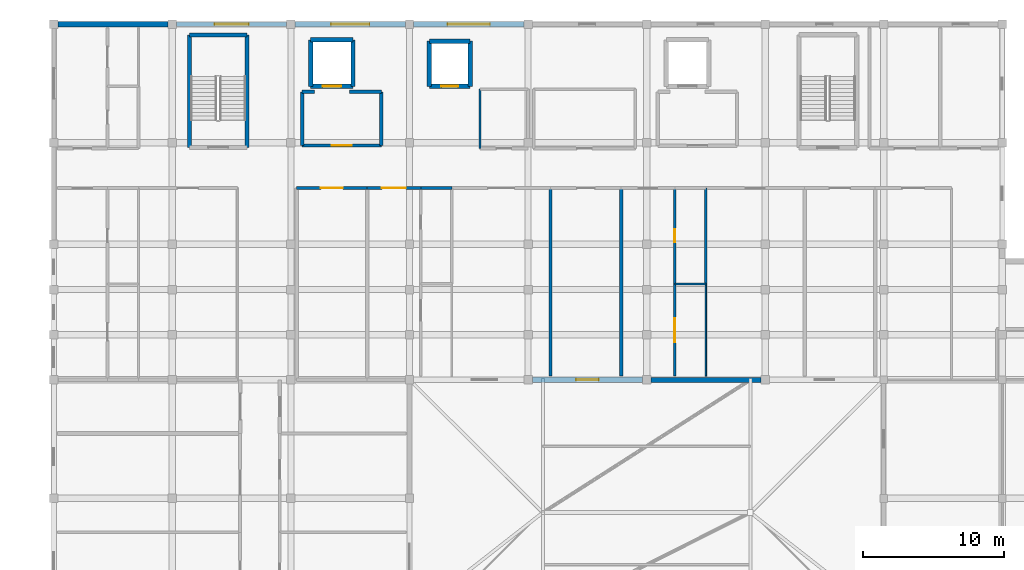
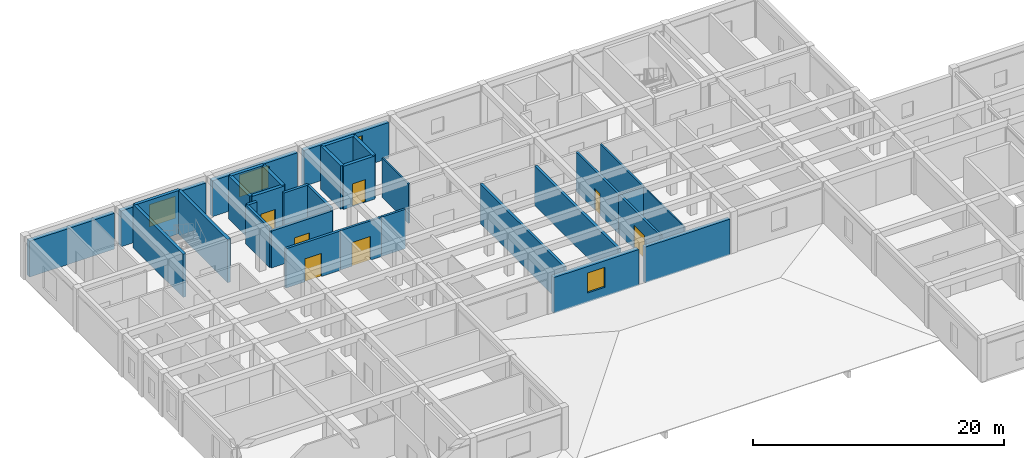
# One storey, part 16 of 42: 33 walls, 7 doors, 4 windows, 11 openings.
"""IFC4 building model written with IfcOpenShell, lengths in metres."""

import ifcopenshell
import ifcopenshell.guid

model = None  # the IFC model being written
_history = None  # IfcOwnerHistory: only IFC2X3 demands one
_inside = {}  # id of a spatial element -> (the spatial element, [elements in it])
_under = {}  # id of a project, library or spatial element -> (it, [spatial elements below it])
_declared = {}  # id of a project -> (the project, [libraries it declares])
_typed = {}  # id of a type object -> (the type object, [elements of that type])
_made_of = {}  # id of a material, layer set ... -> (it, [elements and type objects made of it])


def new_model(schema):
    """Start an empty IFC model of exactly this schema.

    Asked for "IFC4X3", IfcOpenShell would pick the latest addendum, in which some entities
    have other attributes; the version numbers below select the first issue.
    IFC2X3 requires an IfcOwnerHistory on every rooted entity: one is made here for all.
    """
    global model, _history
    if schema == "IFC4X3":
        model = ifcopenshell.file(schema_version=(4, 3, 0, 0))
    else:
        model = ifcopenshell.file(schema=schema)
    _inside.clear()
    _under.clear()
    _declared.clear()
    _typed.clear()
    _made_of.clear()
    _history = None
    if model.schema == "IFC2X3":
        org = make("IfcOrganization", Name="unknown")
        user = make(
            "IfcPersonAndOrganization",
            ThePerson=make("IfcPerson", FamilyName="unknown"),
            TheOrganization=org,
        )
        app = make(
            "IfcApplication",
            ApplicationDeveloper=org,
            Version="unknown",
            ApplicationFullName="unknown",
            ApplicationIdentifier="unknown",
        )
        _history = make(
            "IfcOwnerHistory",
            OwningUser=user,
            OwningApplication=app,
            ChangeAction="ADDED",
            CreationDate=0,
        )
    return model


def make(cls, **values):
    """One entity of the class cls with the attributes given. An attribute that is None is left unset."""
    return model.create_entity(
        cls, **{name: value for name, value in values.items() if value is not None}
    )


def rooted(cls, **values):
    """An entity with a GlobalId (a new one), such as an element, a storey or a relation."""
    return make(cls, GlobalId=ifcopenshell.guid.new(), OwnerHistory=_history, **values)


def si_unit(unit_type, name, prefix=None):
    """IfcSIUnit, for example si_unit("LENGTHUNIT", "METRE", prefix="MILLI")."""
    return make("IfcSIUnit", UnitType=unit_type, Prefix=prefix, Name=name)


def assignment(units):
    """IfcUnitAssignment: the units of a project."""
    return None if units is None else make("IfcUnitAssignment", Units=units)


def point(xyz):
    """IfcCartesianPoint."""
    return None if xyz is None else make("IfcCartesianPoint", Coordinates=xyz)


def direction(xyz):
    """IfcDirection."""
    return None if xyz is None else make("IfcDirection", DirectionRatios=xyz)


def frame(location, z_axis=None, x_axis=None):
    """IfcAxis2Placement3D, a coordinate frame: its origin and axes. An axis left out is left unset."""
    return make(
        "IfcAxis2Placement3D",
        Location=point(location),
        Axis=direction(z_axis),
        RefDirection=direction(x_axis),
    )


def frame_2d(location, x_axis=None):
    """IfcAxis2Placement2D, a coordinate frame in the plane: its origin and x axis."""
    return make(
        "IfcAxis2Placement2D", Location=point(location), RefDirection=direction(x_axis)
    )


def origin():
    """The frame at (0, 0, 0) with its axes left unset."""
    return frame((0.0, 0.0, 0.0))


def place(relative_to, where):
    """IfcLocalPlacement: puts the frame where relative to a parent placement (None: the world)."""
    return make(
        "IfcLocalPlacement", PlacementRelTo=relative_to, RelativePlacement=where
    )


def context(
    kind, dimensions, precision=None, world=None, true_north=None, identifier=None
):
    """IfcGeometricRepresentationContext, for example the 3D "Model" context."""
    return make(
        "IfcGeometricRepresentationContext",
        ContextIdentifier=identifier,
        ContextType=kind,
        CoordinateSpaceDimension=dimensions,
        Precision=precision,
        WorldCoordinateSystem=world,
        TrueNorth=true_north,
    )


def subcontext(parent, identifier, kind, view, scale=None):
    """IfcGeometricRepresentationSubContext, for example "Body" below "Model"."""
    return make(
        "IfcGeometricRepresentationSubContext",
        ContextIdentifier=identifier,
        ContextType=kind,
        ParentContext=parent,
        TargetScale=scale,
        TargetView=view,
    )


def project(units=None, contexts=None):
    """IfcProject with its units and contexts."""
    return rooted(
        "IfcProject",
        Name="project",
        RepresentationContexts=contexts,
        UnitsInContext=assignment(units),
    )


def spatial(cls, under=None, at=None, **own):
    """A site, building, storey or space (cls), placed at a placement, below another one or the project."""
    s = rooted(cls, ObjectPlacement=at, **own)
    if under is not None:
        _under.setdefault(under.id(), (under, []))[1].append(s)
    return s


def profile(cls, at=None, kind="AREA", **sizes):
    """A parametric profile (cls). Its sizes go by their IFC names, for example OverallWidth=200.0."""
    return make(cls, ProfileType=kind, Position=at, **sizes)


def rectangle(**sizes):
    """IfcRectangleProfileDef."""
    return profile("IfcRectangleProfileDef", **sizes)


def extrude(swept, where, along, depth):
    """IfcExtrudedAreaSolid: the profile swept, set in the frame where, extruded along a direction by depth."""
    return make(
        "IfcExtrudedAreaSolid",
        SweptArea=swept,
        Position=where,
        ExtrudedDirection=direction(along),
        Depth=depth,
    )


def shape(context_of_items, identifier, shape_type, items):
    """IfcShapeRepresentation: the items that make up one representation, for example the "Body"."""
    return make(
        "IfcShapeRepresentation",
        ContextOfItems=context_of_items,
        RepresentationIdentifier=identifier,
        RepresentationType=shape_type,
        Items=items,
    )


def material(Name=None, Category=None):
    """IfcMaterial."""
    return make("IfcMaterial", Name=Name, Category=Category)


def layer(
    of_material, thickness, ventilated=None, Name=None, Category=None, Priority=None
):
    """IfcMaterialLayer: one layer of a wall or slab, of a material (None: an air gap)."""
    return make(
        "IfcMaterialLayer",
        Material=of_material,
        LayerThickness=thickness,
        IsVentilated=ventilated,
        Name=Name,
        Category=Category,
        Priority=Priority,
    )


def layer_set(layers, Name=None):
    """IfcMaterialLayerSet."""
    return make("IfcMaterialLayerSet", MaterialLayers=layers, LayerSetName=Name)


def made_of(thing, what):
    """Note that an element or type object is made of a material, layer set ...; save() writes the relation."""
    if what is not None:
        _made_of.setdefault(what.id(), (what, []))[1].append(thing)
    return thing


def type_object(cls, material=None, **own):
    """A type object (cls), such as IfcWallType, which elements share."""
    return made_of(rooted(cls, **own), material)


def element(
    cls,
    number,
    at=None,
    inside=None,
    cuts=None,
    type_object=None,
    material=None,
    context=None,
    identifier="Body",
    shape_type=None,
    held_by="IfcProductDefinitionShape",
    body=None,
    shapes=None,
    **own,
):
    """One element of the class cls, such as IfcWall. Its Tag is "e" and its number.

    at: its placement. inside: the storey or other place that contains it. cuts: it is an
    opening in that element (IfcRelVoidsElement). A single representation is given by context,
    identifier, shape_type and body (its items); several are given by shapes. held_by: the class
    of the entity that holds the representations. save() writes the other relations.
    """
    e = rooted(cls, Tag="e%d" % number, ObjectPlacement=at, **own)
    if body is not None:
        shapes = [shape(context, identifier, shape_type, body)]
    if shapes is not None:
        e.Representation = make(held_by, Representations=shapes)
    if inside is not None:
        _inside.setdefault(inside.id(), (inside, []))[1].append(e)
    if cuts is not None:
        rooted(
            "IfcRelVoidsElement", RelatingBuildingElement=cuts, RelatedOpeningElement=e
        )
    if type_object is not None:
        _typed.setdefault(type_object.id(), (type_object, []))[1].append(e)
    return made_of(e, material)


def fill(opening, filler):
    """IfcRelFillsElement: the door or window that sits in an opening."""
    return rooted(
        "IfcRelFillsElement",
        RelatingOpeningElement=opening,
        RelatedBuildingElement=filler,
    )


def aggregate(whole, parts):
    """IfcRelAggregates: a whole, such as a stair, and the parts it consists of."""
    return rooted("IfcRelAggregates", RelatingObject=whole, RelatedObjects=parts)


def save(model, path):
    """Write the relations noted so far, then the file.

    IfcRelAggregates (storeys below a building ...), IfcRelContainedInSpatialStructure (elements
    in a storey), IfcRelDefinesByType, IfcRelAssociatesMaterial and IfcRelDeclares: one each for
    every whole, place, type object, material and project.
    """
    for whole, parts in _under.values():
        aggregate(whole, parts)
    for where, things in _inside.values():
        rooted(
            "IfcRelContainedInSpatialStructure",
            RelatedElements=things,
            RelatingStructure=where,
        )
    for kind, things in _typed.values():
        rooted("IfcRelDefinesByType", RelatedObjects=things, RelatingType=kind)
    for what, things in _made_of.values():
        rooted("IfcRelAssociatesMaterial", RelatedObjects=things, RelatingMaterial=what)
    for by, libraries in _declared.values():
        rooted("IfcRelDeclares", RelatingContext=by, RelatedDefinitions=libraries)
    model.write(path)


model = new_model("IFC4")

# Units and contexts
model_context = context("Model", 3, precision=1e-05, world=origin(), true_north=direction((0.0, 1.0)))
body_context = subcontext(model_context, "Body", "Model", "MODEL_VIEW")
ifc_project = project(units=[si_unit("LENGTHUNIT", "METRE"), si_unit("AREAUNIT", "SQUARE_METRE"), si_unit("VOLUMEUNIT", "CUBIC_METRE"), si_unit("PLANEANGLEUNIT", "RADIAN"), si_unit("MASSUNIT", "GRAM", prefix="KILO")], contexts=[model_context])

# Site, building, storey
site_placement = place(None, origin())
site = spatial("IfcSite", under=ifc_project, at=site_placement, CompositionType="ELEMENT")
building_placement = place(site_placement, origin())
building = spatial("IfcBuilding", under=site, at=building_placement, Name="Varncliffe General Hospital", CompositionType="ELEMENT")
storey_placement = place(building_placement, frame((0.0, 0.0, 20.39990234375)))
storey = spatial("IfcBuildingStorey", under=building, at=storey_placement, Name="L04", CompositionType="ELEMENT", Elevation=20.39990234375)

# Wall
ifc_material_1 = material(Name="Precast concrete C40/50 with insulated cream lime-cement stucco", Category="concrete")
ifc_layer_1 = layer(ifc_material_1, 0.3798828125)
ifc_layer_set_1 = layer_set([ifc_layer_1], Name="Precast concrete C40/50 with insulated cream lime-cement stucco")
wall_type_1 = type_object("IfcWallType", Name="Exterior Insulated Stucco Wall EW26 (380mm)", PredefinedType="SOLIDWALL", material=ifc_layer_set_1)
wall_1_placement = place(storey_placement, frame((0.298095703125, 124.800048828125, 0.0), z_axis=(0.0, 0.0, 1.0), x_axis=(1.0, 0.0, 0.0)))
element("IfcWall", 1, at=wall_1_placement, inside=storey, type_object=wall_type_1, Name="L04 Exterior Stucco Wall EW26-347", PredefinedType="SOLIDWALL", context=body_context, shape_type="SweptSolid", body=[
    extrude(rectangle(XDim=7.803955078125, YDim=0.3798828125, at=frame_2d((3.90185546875, 0.0))), origin(), (0.0, 0.0, 1.0), 3.47998046875),
])

# Wall, opening, window
wall_2_placement = place(storey_placement, frame((25.498046875, 124.800048828125, 0.0), z_axis=(0.0, 0.0, 1.0), x_axis=(1.0, 0.0, 0.0)))
wall_2 = element("IfcWall", 2, at=wall_2_placement, inside=storey, type_object=wall_type_1, Name="L04 Exterior Stucco Wall EW26-350", PredefinedType="SOLIDWALL", context=body_context, shape_type="SweptSolid", body=[
    extrude(rectangle(XDim=7.803955078125, YDim=0.3798828125, at=frame_2d((3.90185546875, 0.0))), origin(), (0.0, 0.0, 1.0), 3.47998046875),
])
opening_1_placement = place(wall_2_placement, frame((2.402099609375, 0.0, 0.89990234375)))
opening_1 = element("IfcOpeningElement", 3, at=opening_1_placement, cuts=wall_2, Name="Opening WN37", PredefinedType="OPENING", context=body_context, shape_type="SweptSolid", body=[
    extrude(rectangle(XDim=3.0, YDim=2.14990234375, at=frame_2d((1.5, 1.074951171875))), frame((0.0, 0.199951171875, 0.0), z_axis=(0.0, -1.0, 0.0), x_axis=(1.0, 0.0, 0.0)), (0.0, 0.0, 1.0), 0.39990234375),
])
ifc_material_2 = material(Name="Triple low-E argon insulated vision glazing", Category="glass")
window_type_1 = type_object("IfcWindowType", Name="Triple-Glazed Hospital Window WN37 (3000x2150)", PartitioningType="DOUBLE_PANEL_VERTICAL", PredefinedType="WINDOW", material=ifc_material_2)
window_1_placement = place(opening_1_placement, origin())
window_1 = element("IfcWindow", 4, at=window_1_placement, inside=storey, type_object=window_type_1, Name="L04 Hospital Window WN37-260", OverallHeight=2.14990234375, OverallWidth=3.0, PartitioningType="DOUBLE_PANEL_VERTICAL", PredefinedType="WINDOW", context=body_context, shape_type="SweptSolid", body=[
    extrude(rectangle(XDim=3.0, YDim=2.14990234375, at=frame_2d((1.5, 1.074951171875))), frame((0.0, 0.030029296875, 0.0), z_axis=(0.0, -1.0, 0.0), x_axis=(1.0, 0.0, 0.0)), (0.0, 0.0, 1.0), 0.06005859375),
])
fill(opening_1, window_1)

# Wall
ifc_layer_2 = layer(ifc_material_1, 0.35009765625)
ifc_layer_set_2 = layer_set([ifc_layer_2], Name="Precast concrete C40/50 with insulated cream lime-cement stucco")
wall_type_2 = type_object("IfcWallType", Name="Exterior Insulated Stucco Wall EW37 (350mm)", PredefinedType="SOLIDWALL", material=ifc_layer_set_2)
wall_3_placement = place(storey_placement, frame((50.10205078125, 99.60009765625, 0.0), z_axis=(0.0, 0.0, 1.0), x_axis=(-1.0, 0.0, 0.0)))
element("IfcWall", 5, at=wall_3_placement, inside=storey, type_object=wall_type_2, Name="L04 Exterior Stucco Wall EW37-332", PredefinedType="SOLIDWALL", context=body_context, shape_type="SweptSolid", body=[
    extrude(rectangle(XDim=7.803955078125, YDim=0.35009765625, at=frame_2d((3.90185546875, 0.0))), origin(), (0.0, 0.0, 1.0), 3.47998046875),
])

# Wall, opening, window
wall_4_placement = place(storey_placement, frame((8.697998046875, 124.800048828125, 0.0), z_axis=(0.0, 0.0, 1.0), x_axis=(1.0, 0.0, 0.0)))
wall_4 = element("IfcWall", 6, at=wall_4_placement, inside=storey, type_object=wall_type_2, Name="L04 Exterior Stucco Wall EW37-348", PredefinedType="SOLIDWALL", context=body_context, shape_type="SweptSolid", body=[
    extrude(rectangle(XDim=7.803955078125, YDim=0.35009765625, at=frame_2d((3.90185546875, 0.0))), origin(), (0.0, 0.0, 1.0), 3.47998046875),
])
opening_2_placement = place(wall_4_placement, frame((2.701904296875, 0.0, 0.89990234375)))
opening_2 = element("IfcOpeningElement", 7, at=opening_2_placement, cuts=wall_4, Name="Opening WN61", PredefinedType="OPENING", context=body_context, shape_type="SweptSolid", body=[
    extrude(rectangle(XDim=2.39990234375, YDim=2.14990234375, at=frame_2d((1.199951171875, 1.074951171875))), frame((0.0, 0.18505859375, 0.0), z_axis=(0.0, -1.0, 0.0), x_axis=(1.0, 0.0, 0.0)), (0.0, 0.0, 1.0), 0.3701171875),
])
window_type_2 = type_object("IfcWindowType", Name="Triple-Glazed Hospital Window WN61 (2400x2150)", PartitioningType="DOUBLE_PANEL_VERTICAL", PredefinedType="WINDOW", material=ifc_material_2)
window_2_placement = place(opening_2_placement, origin())
window_2 = element("IfcWindow", 8, at=window_2_placement, inside=storey, type_object=window_type_2, Name="L04 Hospital Window WN61-258", OverallHeight=2.14990234375, OverallWidth=2.39990234375, PartitioningType="DOUBLE_PANEL_VERTICAL", PredefinedType="WINDOW", context=body_context, shape_type="SweptSolid", body=[
    extrude(rectangle(XDim=2.39990234375, YDim=2.14990234375, at=frame_2d((1.199951171875, 1.074951171875))), frame((0.0, 0.030029296875, 0.0), z_axis=(0.0, -1.0, 0.0), x_axis=(1.0, 0.0, 0.0)), (0.0, 0.0, 1.0), 0.06005859375),
])
fill(opening_2, window_2)

ifc_layer_3 = layer(ifc_material_1, 0.39990234375)
ifc_layer_set_3 = layer_set([ifc_layer_3], Name="Precast concrete C40/50 with insulated cream lime-cement stucco")
wall_type_3 = type_object("IfcWallType", Name="Exterior Insulated Stucco Wall EW47 (400mm)", PredefinedType="SOLIDWALL", material=ifc_layer_set_3)
wall_5_placement = place(storey_placement, frame((41.701904296875, 99.60009765625, 0.0), z_axis=(0.0, 0.0, 1.0), x_axis=(-1.0, 0.0, 0.0)))
wall_5 = element("IfcWall", 9, at=wall_5_placement, inside=storey, type_object=wall_type_3, Name="L04 Exterior Stucco Wall EW47-333", PredefinedType="SOLIDWALL", context=body_context, shape_type="SweptSolid", body=[
    extrude(rectangle(XDim=7.803955078125, YDim=0.39990234375, at=frame_2d((3.90185546875, 0.0))), origin(), (0.0, 0.0, 1.0), 3.47998046875),
])
opening_3_placement = place(wall_5_placement, frame((3.10205078125, 0.0, 0.89990234375)))
opening_3 = element("IfcOpeningElement", 10, at=opening_3_placement, cuts=wall_5, Name="Opening WN13", PredefinedType="OPENING", context=body_context, shape_type="SweptSolid", body=[
    extrude(rectangle(XDim=1.60009765625, YDim=1.949951171875, at=frame_2d((0.800048828125, 0.97509765625))), frame((0.0, 0.2099609375, 0.0), z_axis=(0.0, -1.0, 0.0), x_axis=(1.0, 0.0, 0.0)), (0.0, 0.0, 1.0), 0.419921875),
])
window_type_3 = type_object("IfcWindowType", Name="Triple-Glazed Hospital Window WN13 (1600x1950)", PartitioningType="DOUBLE_PANEL_VERTICAL", PredefinedType="WINDOW", material=ifc_material_2)
window_3_placement = place(opening_3_placement, origin())
window_3 = element("IfcWindow", 11, at=window_3_placement, inside=storey, type_object=window_type_3, Name="L04 Hospital Window WN13-247", OverallHeight=1.949951171875, OverallWidth=1.60009765625, PartitioningType="DOUBLE_PANEL_VERTICAL", PredefinedType="WINDOW", context=body_context, shape_type="SweptSolid", body=[
    extrude(rectangle(XDim=1.60009765625, YDim=1.949951171875, at=frame_2d((0.800048828125, 0.97509765625))), frame((0.0, 0.030029296875, 0.0), z_axis=(0.0, -1.0, 0.0), x_axis=(1.0, 0.0, 0.0)), (0.0, 0.0, 1.0), 0.06005859375),
])
fill(opening_3, window_3)

wall_6_placement = place(storey_placement, frame((17.097900390625, 124.800048828125, 0.0), z_axis=(0.0, 0.0, 1.0), x_axis=(1.0, 0.0, 0.0)))
wall_6 = element("IfcWall", 12, at=wall_6_placement, inside=storey, type_object=wall_type_3, Name="L04 Exterior Stucco Wall EW47-349", PredefinedType="SOLIDWALL", context=body_context, shape_type="SweptSolid", body=[
    extrude(rectangle(XDim=7.80419921875, YDim=0.39990234375, at=frame_2d((3.902099609375, 0.0))), origin(), (0.0, 0.0, 1.0), 3.47998046875),
])
opening_4_placement = place(wall_6_placement, frame((2.552001953125, 0.0, 0.89990234375)))
opening_4 = element("IfcOpeningElement", 13, at=opening_4_placement, cuts=wall_6, Name="Opening WN58", PredefinedType="OPENING", context=body_context, shape_type="SweptSolid", body=[
    extrude(rectangle(XDim=2.699951171875, YDim=2.14990234375, at=frame_2d((1.35009765625, 1.074951171875))), frame((0.0, 0.2099609375, 0.0), z_axis=(0.0, -1.0, 0.0), x_axis=(1.0, 0.0, 0.0)), (0.0, 0.0, 1.0), 0.419921875),
])
window_type_4 = type_object("IfcWindowType", Name="Triple-Glazed Hospital Window WN58 (2700x2150)", PartitioningType="DOUBLE_PANEL_VERTICAL", PredefinedType="WINDOW", material=ifc_material_2)
window_4_placement = place(opening_4_placement, origin())
window_4 = element("IfcWindow", 14, at=window_4_placement, inside=storey, type_object=window_type_4, Name="L04 Hospital Window WN58-259", OverallHeight=2.14990234375, OverallWidth=2.699951171875, PartitioningType="DOUBLE_PANEL_VERTICAL", PredefinedType="WINDOW", context=body_context, shape_type="SweptSolid", body=[
    extrude(rectangle(XDim=2.699951171875, YDim=2.14990234375, at=frame_2d((1.35009765625, 1.074951171875))), frame((0.0, 0.030029296875, 0.0), z_axis=(0.0, -1.0, 0.0), x_axis=(1.0, 0.0, 0.0)), (0.0, 0.0, 1.0), 0.06005859375),
])
fill(opening_4, window_4)

# Walls
ifc_material_3 = material(Name="Acoustic clinical gypsum stud partition assembly", Category="gypsum")
ifc_layer_4 = layer(ifc_material_3, 0.110107421875)
ifc_layer_set_4 = layer_set([ifc_layer_4], Name="Acoustic clinical gypsum stud partition assembly")
wall_type_4 = type_object("IfcWallType", Name="Interior Partitioning IW65 (110mm)", PredefinedType="PARTITIONING", material=ifc_layer_set_4)
wall_7_placement = place(storey_placement, frame((46.199951171875, 99.860107421875, 0.0), z_axis=(0.0, 0.0, 1.0), x_axis=(0.0, 1.0, 0.0)))
element("IfcWall", 15, at=wall_7_placement, inside=storey, type_object=wall_type_4, Name="L04 Interior Partition Wall IW65-1872", PredefinedType="PARTITIONING", context=body_context, shape_type="SweptSolid", body=[
    extrude(rectangle(XDim=6.539794921875, YDim=0.110107421875, at=frame_2d((3.27001953125, 0.0))), origin(), (0.0, 0.0, 1.0), 3.820068359375),
])
ifc_material_4 = material(Name="Fire-rated gypsum and mineral-wool partition assembly", Category="gypsum")
ifc_layer_5 = layer(ifc_material_4, 0.25)
ifc_layer_set_5 = layer_set([ifc_layer_5], Name="Fire-rated gypsum and mineral-wool partition assembly")
wall_type_5 = type_object("IfcWallType", Name="Interior Partitioning PW38 (250mm)", PredefinedType="PARTITIONING", material=ifc_layer_set_5)
wall_8_placement = place(storey_placement, frame((20.935791015625, 120.0, 0.0), z_axis=(0.0, 0.0, 1.0), x_axis=(1.0, 0.0, 0.0)))
element("IfcWall", 16, at=wall_8_placement, inside=storey, type_object=wall_type_5, Name="L04 Interior Partition Wall PW38-1827", PredefinedType="PARTITIONING", context=body_context, shape_type="SweptSolid", body=[
    extrude(rectangle(XDim=2.26416015625, YDim=0.25, at=frame_2d((1.132080078125, 0.0))), origin(), (0.0, 0.0, 1.0), 3.820068359375),
])
wall_9_placement = place(storey_placement, frame((17.60009765625, 120.0, 0.0), z_axis=(0.0, 0.0, 1.0), x_axis=(1.0, 0.0, 0.0)))
element("IfcWall", 17, at=wall_9_placement, inside=storey, type_object=wall_type_5, Name="L04 Interior Partition Wall PW38-1828", PredefinedType="PARTITIONING", context=body_context, shape_type="SweptSolid", body=[
    extrude(rectangle(XDim=0.864013671875, YDim=0.25, at=frame_2d((0.43212890625, 0.0))), origin(), (0.0, 0.0, 1.0), 3.820068359375),
])
wall_10_placement = place(storey_placement, frame((40.199951171875, 99.860107421875, 0.0), z_axis=(0.0, 0.0, 1.0), x_axis=(0.0, 1.0, 0.0)))
element("IfcWall", 18, at=wall_10_placement, inside=storey, type_object=wall_type_5, Name="L04 Interior Partition Wall PW38-1867", PredefinedType="PARTITIONING", context=body_context, shape_type="SweptSolid", body=[
    extrude(rectangle(XDim=13.33984375, YDim=0.25, at=frame_2d((6.669921875, 0.0))), origin(), (0.0, 0.0, 1.0), 3.820068359375),
])

# Wall, opening, door
ifc_layer_6 = layer(ifc_material_4, 0.22998046875)
ifc_layer_set_6 = layer_set([ifc_layer_6], Name="Fire-rated gypsum and mineral-wool partition assembly")
wall_type_6 = type_object("IfcWallType", Name="Interior Partitioning PW48 (230mm)", PredefinedType="PARTITIONING", material=ifc_layer_set_6)
wall_11_placement = place(storey_placement, frame((17.199951171875, 113.199951171875, 0.0), z_axis=(0.0, 0.0, 1.0), x_axis=(1.0, 0.0, 0.0)))
wall_11 = element("IfcWall", 19, at=wall_11_placement, inside=storey, type_object=wall_type_6, Name="L04 Interior Partition Wall PW48-1788", PredefinedType="PARTITIONING", context=body_context, shape_type="SweptSolid", body=[
    extrude(rectangle(XDim=5.0, YDim=0.22998046875, at=frame_2d((2.5, 0.0))), origin(), (0.0, 0.0, 1.0), 3.820068359375),
])
opening_5_placement = place(wall_11_placement, frame((1.72509765625, 0.0, 0.0)))
opening_5 = element("IfcOpeningElement", 20, at=opening_5_placement, cuts=wall_11, Name="Opening DC67", PredefinedType="OPENING", context=body_context, shape_type="SweptSolid", body=[
    extrude(rectangle(XDim=1.550048828125, YDim=2.25, at=frame_2d((0.77490234375, 1.125))), frame((0.0, 0.125, 0.0), z_axis=(0.0, -1.0, 0.0), x_axis=(1.0, 0.0, 0.0)), (0.0, 0.0, 1.0), 0.25),
])
ifc_material_5 = material(Name="Fire-rated hospital steel-frame vision-panel door", Category="steel")
door_type_1 = type_object("IfcDoorType", Name="Interior Hospital Door DC67 (1550x2250)", OperationType="NOTDEFINED", PredefinedType="DOOR", material=ifc_material_5)
door_1_placement = place(opening_5_placement, frame((1.550048828125, 0.0, 0.0), z_axis=(0.0, 0.0, 1.0), x_axis=(-1.0, 0.0, 0.0)))
door_1 = element("IfcDoor", 21, at=door_1_placement, inside=storey, type_object=door_type_1, Name="L04 Ward Soiled Utility Store 83 Door", OperationType="SINGLE_SWING_LEFT", OverallHeight=2.25, OverallWidth=1.550048828125, PredefinedType="DOOR", context=body_context, shape_type="SweptSolid", body=[
    extrude(rectangle(XDim=1.550048828125, YDim=2.25, at=frame_2d((0.77490234375, 1.125))), frame((0.0, 0.02490234375, 0.0), z_axis=(0.0, -1.0, 0.0), x_axis=(1.0, 0.0, 0.0)), (0.0, 0.0, 1.0), 0.050048828125),
])
fill(opening_5, door_1)

wall_12_placement = place(storey_placement, frame((17.60009765625, 116.199951171875, 0.0), z_axis=(0.0, 0.0, 1.0), x_axis=(1.0, 0.0, 0.0)))
wall_12 = element("IfcWall", 22, at=wall_12_placement, inside=storey, type_object=wall_type_6, Name="L04 Interior Partition Wall PW48-1824", PredefinedType="PARTITIONING", context=body_context, shape_type="SweptSolid", body=[
    extrude(rectangle(XDim=5.599853515625, YDim=0.22998046875, at=frame_2d((2.7998046875, 0.0))), origin(), (0.0, 0.0, 1.0), 3.585205078125),
])
opening_6_placement = place(wall_12_placement, frame((2.10009765625, 0.0, 0.0)))
opening_6 = element("IfcOpeningElement", 23, at=opening_6_placement, cuts=wall_12, Name="Opening DF81", PredefinedType="OPENING", context=body_context, shape_type="SweptSolid", body=[
    extrude(rectangle(XDim=1.39990234375, YDim=2.199951171875, at=frame_2d((0.699951171875, 1.10009765625))), frame((0.0, 0.125, 0.0), z_axis=(0.0, -1.0, 0.0), x_axis=(1.0, 0.0, 0.0)), (0.0, 0.0, 1.0), 0.25),
])
door_type_2 = type_object("IfcDoorType", Name="Interior Hospital Door DF81 (1400x2200)", OperationType="NOTDEFINED", PredefinedType="DOOR", material=ifc_material_5)
door_2_placement = place(opening_6_placement, origin())
door_2 = element("IfcDoor", 24, at=door_2_placement, inside=storey, type_object=door_type_2, Name="L04 Firefighting Lift Lobby LF01 Door", OperationType="SINGLE_SWING_LEFT", OverallHeight=2.199951171875, OverallWidth=1.39990234375, PredefinedType="DOOR", context=body_context, shape_type="SweptSolid", body=[
    extrude(rectangle(XDim=1.39990234375, YDim=2.199951171875, at=frame_2d((0.699951171875, 1.10009765625))), frame((0.0, 0.02490234375, 0.0), z_axis=(0.0, -1.0, 0.0), x_axis=(1.0, 0.0, 0.0)), (0.0, 0.0, 1.0), 0.050048828125),
])
fill(opening_6, door_2)

# Walls
for number, where, z_axis, x_axis, name in (
    (25, (17.60009765625, 116.199951171875, 0.0), (0.0, 0.0, 1.0), (0.0, 1.0, 0.0), "L04 Interior Partition Wall PW48-1856"),
    (26, (23.199951171875, 116.199951171875, 0.0), (0.0, 0.0, 1.0), (0.0, 1.0, 0.0), "L04 Interior Partition Wall PW48-1858"),
):
    element("IfcWall", number, at=place(storey_placement, frame(where, z_axis=z_axis, x_axis=x_axis)), inside=storey, type_object=wall_type_6, Name=name, PredefinedType="PARTITIONING", context=body_context, shape_type="SweptSolid", body=[
        extrude(rectangle(XDim=3.800048828125, YDim=0.22998046875, at=frame_2d((1.89990234375, 0.0))), origin(), (0.0, 0.0, 1.0), 3.820068359375),
    ])
wall_13_placement = place(storey_placement, frame((35.199951171875, 99.860107421875, 0.0), z_axis=(0.0, 0.0, 1.0), x_axis=(0.0, 1.0, 0.0)))
element("IfcWall", 27, at=wall_13_placement, inside=storey, type_object=wall_type_6, Name="L04 Interior Partition Wall PW48-1866", PredefinedType="PARTITIONING", context=body_context, shape_type="SweptSolid", body=[
    extrude(rectangle(XDim=13.33984375, YDim=0.22998046875, at=frame_2d((6.669921875, 0.0))), origin(), (0.0, 0.0, 1.0), 3.820068359375),
])

# Wall, opening, door
ifc_layer_7 = layer(ifc_material_4, 0.199951171875)
ifc_layer_set_7 = layer_set([ifc_layer_7], Name="Fire-rated gypsum and mineral-wool partition assembly")
wall_type_7 = type_object("IfcWallType", Name="Interior Partitioning PW63 (200mm)", PredefinedType="PARTITIONING", material=ifc_layer_set_7)
wall_14_placement = place(storey_placement, frame((22.199951171875, 113.199951171875, 0.0), z_axis=(0.0, 0.0, 1.0), x_axis=(1.0, 0.0, 0.0)))
wall_14 = element("IfcWall", 28, at=wall_14_placement, inside=storey, type_object=wall_type_7, Name="L04 Interior Partition Wall PW63-1789", PredefinedType="PARTITIONING", context=body_context, shape_type="SweptSolid", body=[
    extrude(rectangle(XDim=3.800048828125, YDim=0.199951171875, at=frame_2d((1.89990234375, 0.0))), origin(), (0.0, 0.0, 1.0), 3.820068359375),
])
opening_7_placement = place(wall_14_placement, frame((1.050048828125, 0.0, 0.0)))
opening_7 = element("IfcOpeningElement", 29, at=opening_7_placement, cuts=wall_14, Name="Opening DC50", PredefinedType="OPENING", context=body_context, shape_type="SweptSolid", body=[
    extrude(rectangle(XDim=1.699951171875, YDim=2.300048828125, at=frame_2d((0.85009765625, 1.14990234375))), frame((0.0, 0.10986328125, 0.0), z_axis=(0.0, -1.0, 0.0), x_axis=(1.0, 0.0, 0.0)), (0.0, 0.0, 1.0), 0.219970703125),
])
door_type_3 = type_object("IfcDoorType", Name="Interior Hospital Door DC50 (1700x2300)", OperationType="NOTDEFINED", PredefinedType="DOOR", material=ifc_material_5)
door_3_placement = place(opening_7_placement, frame((1.699951171875, 0.0, 0.0), z_axis=(0.0, 0.0, 1.0), x_axis=(-1.0, 0.0, 0.0)))
door_3 = element("IfcDoor", 30, at=door_3_placement, inside=storey, type_object=door_type_3, Name="L04 Cardiology Telemetry Inpatient Room 84 Door", OperationType="SINGLE_SWING_RIGHT", OverallHeight=2.300048828125, OverallWidth=1.699951171875, PredefinedType="DOOR", context=body_context, shape_type="SweptSolid", body=[
    extrude(rectangle(XDim=1.699951171875, YDim=2.300048828125, at=frame_2d((0.85009765625, 1.14990234375))), frame((0.0, 0.02490234375, 0.0), z_axis=(0.0, -1.0, 0.0), x_axis=(1.0, 0.0, 0.0)), (0.0, 0.0, 1.0), 0.050048828125),
])
fill(opening_7, door_3)

wall_15_placement = place(storey_placement, frame((44.0, 99.860107421875, 0.0), z_axis=(0.0, 0.0, 1.0), x_axis=(0.0, 1.0, 0.0)))
wall_15 = element("IfcWall", 31, at=wall_15_placement, inside=storey, type_object=wall_type_7, Name="L04 Interior Partition Wall PW63-1870", PredefinedType="PARTITIONING", context=body_context, shape_type="SweptSolid", body=[
    extrude(rectangle(XDim=6.539794921875, YDim=0.199951171875, at=frame_2d((3.27001953125, 0.0))), origin(), (0.0, 0.0, 1.0), 3.820068359375),
])
opening_8_placement = place(wall_15_placement, frame((2.419921875, 0.0, 0.0)))
opening_8 = element("IfcOpeningElement", 32, at=opening_8_placement, cuts=wall_15, Name="Opening DC50", PredefinedType="OPENING", context=body_context, shape_type="SweptSolid", body=[
    extrude(rectangle(XDim=1.699951171875, YDim=2.300048828125, at=frame_2d((0.85009765625, 1.14990234375))), frame((0.0, 0.10986328125, 0.0), z_axis=(0.0, -1.0, 0.0), x_axis=(1.0, 0.0, 0.0)), (0.0, 0.0, 1.0), 0.219970703125),
])
door_4_placement = place(opening_8_placement, frame((1.699951171875, 0.0, 0.0), z_axis=(0.0, 0.0, 1.0), x_axis=(-1.0, 0.0, 0.0)))
door_4 = element("IfcDoor", 33, at=door_4_placement, inside=storey, type_object=door_type_3, Name="L04 Patient Medication and Hygiene Bay 91 Door", OperationType="SINGLE_SWING_RIGHT", OverallHeight=2.300048828125, OverallWidth=1.699951171875, PredefinedType="DOOR", context=body_context, shape_type="SweptSolid", body=[
    extrude(rectangle(XDim=1.699951171875, YDim=2.300048828125, at=frame_2d((0.85009765625, 1.14990234375))), frame((0.0, 0.02490234375, 0.0), z_axis=(0.0, -1.0, 0.0), x_axis=(1.0, 0.0, 0.0)), (0.0, 0.0, 1.0), 0.050048828125),
])
fill(opening_8, door_4)

wall_16_placement = place(storey_placement, frame((44.0, 106.39990234375, 0.0), z_axis=(0.0, 0.0, 1.0), x_axis=(0.0, 1.0, 0.0)))
wall_16 = element("IfcWall", 34, at=wall_16_placement, inside=storey, type_object=wall_type_7, Name="L04 Interior Partition Wall PW63-1871", PredefinedType="PARTITIONING", context=body_context, shape_type="SweptSolid", body=[
    extrude(rectangle(XDim=6.800048828125, YDim=0.199951171875, at=frame_2d((3.39990234375, 0.0))), origin(), (0.0, 0.0, 1.0), 3.820068359375),
])
opening_9_placement = place(wall_16_placement, frame((2.93994140625, 0.0, 0.0)))
opening_9 = element("IfcOpeningElement", 35, at=opening_9_placement, cuts=wall_16, Name="Opening DI70", PredefinedType="OPENING", context=body_context, shape_type="SweptSolid", body=[
    extrude(rectangle(XDim=0.919921875, YDim=2.10009765625, at=frame_2d((0.4599609375, 1.050048828125))), frame((0.0, 0.10986328125, 0.0), z_axis=(0.0, -1.0, 0.0), x_axis=(1.0, 0.0, 0.0)), (0.0, 0.0, 1.0), 0.219970703125),
])
ifc_material_6 = material(Name="Solid-core antimicrobial hospital oak veneer door", Category="wood")
door_type_4 = type_object("IfcDoorType", Name="Interior Hospital Door DI70 (920x2100)", OperationType="NOTDEFINED", PredefinedType="DOOR", material=ifc_material_6)
door_5_placement = place(opening_9_placement, frame((0.919921875, 0.0, 0.0), z_axis=(0.0, 0.0, 1.0), x_axis=(-1.0, 0.0, 0.0)))
door_5 = element("IfcDoor", 36, at=door_5_placement, inside=storey, type_object=door_type_4, Name="L04 En-Suite Bathroom 90 Door", OperationType="SINGLE_SWING_LEFT", OverallHeight=2.10009765625, OverallWidth=0.919921875, PredefinedType="DOOR", context=body_context, shape_type="SweptSolid", body=[
    extrude(rectangle(XDim=0.919921875, YDim=2.10009765625, at=frame_2d((0.4599609375, 1.050048828125))), frame((0.0, 0.02490234375, 0.0), z_axis=(0.0, -1.0, 0.0), x_axis=(1.0, 0.0, 0.0)), (0.0, 0.0, 1.0), 0.050048828125),
])
fill(opening_9, door_5)

# Walls
ifc_material_7 = material(Name="Moisture-resistant plumbing chase wall assembly", Category="gypsum")
ifc_layer_8 = layer(ifc_material_7, 0.18994140625)
ifc_layer_set_8 = layer_set([ifc_layer_8], Name="Moisture-resistant plumbing chase wall assembly")
wall_type_8 = type_object("IfcWallType", Name="Interior Plumbingwall MW17 (190mm)", PredefinedType="PLUMBINGWALL", material=ifc_layer_set_8)
wall_17_placement = place(storey_placement, frame((26.0, 113.199951171875, 0.0), z_axis=(0.0, 0.0, 1.0), x_axis=(1.0, 0.0, 0.0)))
element("IfcWall", 37, at=wall_17_placement, inside=storey, type_object=wall_type_8, Name="L04 Interior Plumbing Wall MW17-1790", PredefinedType="PLUMBINGWALL", context=body_context, shape_type="SweptSolid", body=[
    extrude(rectangle(XDim=2.199951171875, YDim=0.18994140625, at=frame_2d((1.10009765625, 0.0))), origin(), (0.0, 0.0, 1.0), 3.820068359375),
])
ifc_layer_9 = layer(ifc_material_7, 0.159912109375)
ifc_layer_set_9 = layer_set([ifc_layer_9], Name="Moisture-resistant plumbing chase wall assembly")
wall_type_9 = type_object("IfcWallType", Name="Interior Plumbingwall MW31 (160mm)", PredefinedType="PLUMBINGWALL", material=ifc_layer_set_9)
wall_18_placement = place(storey_placement, frame((44.0, 106.39990234375, 0.0), z_axis=(0.0, 0.0, 1.0), x_axis=(1.0, 0.0, 0.0)))
element("IfcWall", 38, at=wall_18_placement, inside=storey, type_object=wall_type_9, Name="L04 Interior Plumbing Wall MW31-1781", PredefinedType="PLUMBINGWALL", context=body_context, shape_type="SweptSolid", body=[
    extrude(rectangle(XDim=2.199951171875, YDim=0.159912109375, at=frame_2d((1.10009765625, 0.0))), origin(), (0.0, 0.0, 1.0), 3.820068359375),
])
wall_19_placement = place(storey_placement, frame((30.199951171875, 116.0, 0.0), z_axis=(0.0, 0.0, 1.0), x_axis=(0.0, 1.0, 0.0)))
element("IfcWall", 39, at=wall_19_placement, inside=storey, type_object=wall_type_9, Name="L04 Interior Plumbing Wall MW31-1863", PredefinedType="PLUMBINGWALL", context=body_context, shape_type="SweptSolid", body=[
    extrude(rectangle(XDim=4.199951171875, YDim=0.159912109375, at=frame_2d((2.10009765625, 0.0))), origin(), (0.0, 0.0, 1.0), 3.820068359375),
])
wall_20_placement = place(storey_placement, frame((46.199951171875, 106.39990234375, 0.0), z_axis=(0.0, 0.0, 1.0), x_axis=(0.0, 1.0, 0.0)))
element("IfcWall", 40, at=wall_20_placement, inside=storey, type_object=wall_type_9, Name="L04 Interior Plumbing Wall MW31-1873", PredefinedType="PLUMBINGWALL", context=body_context, shape_type="SweptSolid", body=[
    extrude(rectangle(XDim=6.800048828125, YDim=0.159912109375, at=frame_2d((3.39990234375, 0.0))), origin(), (0.0, 0.0, 1.0), 3.820068359375),
])

# Wall, opening, door
ifc_material_8 = material(Name="Concrete C40/50 (CSA A23.1 40 MPa)", Category="concrete")
ifc_layer_10 = layer(ifc_material_8, 0.300048828125)
ifc_layer_set_10 = layer_set([ifc_layer_10], Name="Concrete C40/50 (CSA A23.1 40 MPa)")
wall_type_10 = type_object("IfcWallType", Name="Reinforced Concrete Core Shear Wall CW12 (300mm)", PredefinedType="SHEAR", material=ifc_layer_set_10)
wall_21_placement = place(storey_placement, frame((18.199951171875, 120.39990234375, 0.0), z_axis=(0.0, 0.0, 1.0), x_axis=(1.0, 0.0, 0.0)))
wall_21 = element("IfcWall", 41, at=wall_21_placement, inside=storey, type_object=wall_type_10, Name="L04 LF01 Elevator Shaft Wall South", PredefinedType="SHEAR", context=body_context, shape_type="SweptSolid", body=[
    extrude(rectangle(XDim=3.0, YDim=0.300048828125, at=frame_2d((1.5, 0.0))), origin(), (0.0, 0.0, 1.0), 4.2001953125),
])
opening_10_placement = place(wall_21_placement, frame((0.85009765625, 0.0, 0.0)))
opening_10 = element("IfcOpeningElement", 42, at=opening_10_placement, cuts=wall_21, Name="Opening LD02", PredefinedType="OPENING", context=body_context, shape_type="SweptSolid", body=[
    extrude(rectangle(XDim=1.300048828125, YDim=2.199951171875, at=frame_2d((0.64990234375, 1.10009765625))), frame((0.0, 0.16015625, 0.0), z_axis=(0.0, -1.0, 0.0), x_axis=(1.0, 0.0, 0.0)), (0.0, 0.0, 1.0), 0.320068359375),
])
ifc_material_9 = material(Name="Brushed stainless-steel sliding elevator landing door", Category="steel")
door_type_5 = type_object("IfcDoorType", Name="Lift Landing Door LD02 (1300x2200)", OperationType="DOUBLE_DOOR_SLIDING", PredefinedType="DOOR", material=ifc_material_9)
door_6_placement = place(opening_10_placement, origin())
door_6 = element("IfcDoor", 43, at=door_6_placement, inside=storey, type_object=door_type_5, Name="Lift Landing Door LF01 L04", OperationType="DOUBLE_DOOR_SLIDING", OverallHeight=2.199951171875, OverallWidth=1.300048828125, PredefinedType="DOOR", context=body_context, shape_type="SweptSolid", body=[
    extrude(rectangle(XDim=1.300048828125, YDim=2.199951171875, at=frame_2d((0.64990234375, 1.10009765625))), frame((0.0, 0.02490234375, 0.0), z_axis=(0.0, -1.0, 0.0), x_axis=(1.0, 0.0, 0.0)), (0.0, 0.0, 1.0), 0.050048828125),
])
fill(opening_10, door_6)

# Walls
wall_22_placement = place(storey_placement, frame((21.199951171875, 120.39990234375, 0.0), z_axis=(0.0, 0.0, 1.0), x_axis=(0.0, 1.0, 0.0)))
element("IfcWall", 44, at=wall_22_placement, inside=storey, type_object=wall_type_10, Name="L04 LF01 Elevator Shaft Wall East", PredefinedType="SHEAR", context=body_context, shape_type="SweptSolid", body=[
    extrude(rectangle(XDim=3.300048828125, YDim=0.300048828125, at=frame_2d((1.64990234375, 0.0))), origin(), (0.0, 0.0, 1.0), 4.2001953125),
])
wall_23_placement = place(storey_placement, frame((21.199951171875, 123.699951171875, 0.0), z_axis=(0.0, 0.0, 1.0), x_axis=(-1.0, 0.0, 0.0)))
element("IfcWall", 45, at=wall_23_placement, inside=storey, type_object=wall_type_10, Name="L04 LF01 Elevator Shaft Wall North", PredefinedType="SHEAR", context=body_context, shape_type="SweptSolid", body=[
    extrude(rectangle(XDim=3.0, YDim=0.300048828125, at=frame_2d((1.5, 0.0))), origin(), (0.0, 0.0, 1.0), 4.2001953125),
])
wall_24_placement = place(storey_placement, frame((18.199951171875, 123.699951171875, 0.0), z_axis=(0.0, 0.0, 1.0), x_axis=(0.0, -1.0, 0.0)))
element("IfcWall", 46, at=wall_24_placement, inside=storey, type_object=wall_type_10, Name="L04 LF01 Elevator Shaft Wall West", PredefinedType="SHEAR", context=body_context, shape_type="SweptSolid", body=[
    extrude(rectangle(XDim=3.300048828125, YDim=0.300048828125, at=frame_2d((1.64990234375, 0.0))), origin(), (0.0, 0.0, 1.0), 4.2001953125),
])

# Wall, opening, door
wall_25_placement = place(storey_placement, frame((26.60009765625, 120.39990234375, 0.0), z_axis=(0.0, 0.0, 1.0), x_axis=(1.0, 0.0, 0.0)))
wall_25 = element("IfcWall", 47, at=wall_25_placement, inside=storey, type_object=wall_type_10, Name="L04 LF04 Elevator Shaft Wall South", PredefinedType="SHEAR", context=body_context, shape_type="SweptSolid", body=[
    extrude(rectangle(XDim=2.89990234375, YDim=0.300048828125, at=frame_2d((1.449951171875, 0.0))), origin(), (0.0, 0.0, 1.0), 4.2001953125),
])
opening_11_placement = place(wall_25_placement, frame((0.85009765625, 0.0, 0.0)))
opening_11 = element("IfcOpeningElement", 48, at=opening_11_placement, cuts=wall_25, Name="Opening LD01", PredefinedType="OPENING", context=body_context, shape_type="SweptSolid", body=[
    extrude(rectangle(XDim=1.199951171875, YDim=2.199951171875, at=frame_2d((0.60009765625, 1.10009765625))), frame((0.0, 0.16015625, 0.0), z_axis=(0.0, -1.0, 0.0), x_axis=(1.0, 0.0, 0.0)), (0.0, 0.0, 1.0), 0.320068359375),
])
door_type_6 = type_object("IfcDoorType", Name="Lift Landing Door LD01 (1200x2200)", OperationType="DOUBLE_DOOR_SLIDING", PredefinedType="DOOR", material=ifc_material_9)
door_7_placement = place(opening_11_placement, origin())
door_7 = element("IfcDoor", 49, at=door_7_placement, inside=storey, type_object=door_type_6, Name="Lift Landing Door LF04 L04", OperationType="DOUBLE_DOOR_SLIDING", OverallHeight=2.199951171875, OverallWidth=1.199951171875, PredefinedType="DOOR", context=body_context, shape_type="SweptSolid", body=[
    extrude(rectangle(XDim=1.199951171875, YDim=2.199951171875, at=frame_2d((0.60009765625, 1.10009765625))), frame((0.0, 0.02490234375, 0.0), z_axis=(0.0, -1.0, 0.0), x_axis=(1.0, 0.0, 0.0)), (0.0, 0.0, 1.0), 0.050048828125),
])
fill(opening_11, door_7)

# Walls
wall_26_placement = place(storey_placement, frame((29.5, 120.39990234375, 0.0), z_axis=(0.0, 0.0, 1.0), x_axis=(0.0, 1.0, 0.0)))
element("IfcWall", 50, at=wall_26_placement, inside=storey, type_object=wall_type_10, Name="L04 LF04 Elevator Shaft Wall East", PredefinedType="SHEAR", context=body_context, shape_type="SweptSolid", body=[
    extrude(rectangle(XDim=3.2001953125, YDim=0.300048828125, at=frame_2d((1.60009765625, 0.0))), origin(), (0.0, 0.0, 1.0), 4.2001953125),
])
wall_27_placement = place(storey_placement, frame((29.5, 123.60009765625, 0.0), z_axis=(0.0, 0.0, 1.0), x_axis=(-1.0, 0.0, 0.0)))
element("IfcWall", 51, at=wall_27_placement, inside=storey, type_object=wall_type_10, Name="L04 LF04 Elevator Shaft Wall North", PredefinedType="SHEAR", context=body_context, shape_type="SweptSolid", body=[
    extrude(rectangle(XDim=2.89990234375, YDim=0.300048828125, at=frame_2d((1.449951171875, 0.0))), origin(), (0.0, 0.0, 1.0), 4.2001953125),
])
wall_28_placement = place(storey_placement, frame((26.60009765625, 123.60009765625, 0.0), z_axis=(0.0, 0.0, 1.0), x_axis=(0.0, -1.0, 0.0)))
element("IfcWall", 52, at=wall_28_placement, inside=storey, type_object=wall_type_10, Name="L04 LF04 Elevator Shaft Wall West", PredefinedType="SHEAR", context=body_context, shape_type="SweptSolid", body=[
    extrude(rectangle(XDim=3.2001953125, YDim=0.300048828125, at=frame_2d((1.60009765625, 0.0))), origin(), (0.0, 0.0, 1.0), 4.2001953125),
])
ifc_layer_11 = layer(ifc_material_8, 0.280029296875)
ifc_layer_set_11 = layer_set([ifc_layer_11], Name="Concrete C40/50 (CSA A23.1 40 MPa)")
wall_type_11 = type_object("IfcWallType", Name="Reinforced Concrete Core Shear Wall CW13 (280mm)", PredefinedType="SHEAR", material=ifc_layer_set_11)
wall_29_placement = place(storey_placement, frame((13.68994140625, 116.06005859375, 0.0), z_axis=(0.0, 0.0, 1.0), x_axis=(0.0, 1.0, 0.0)))
element("IfcWall", 53, at=wall_29_placement, inside=storey, type_object=wall_type_11, Name="L04 ST01 Core Shear Wall L", PredefinedType="SHEAR", context=body_context, shape_type="SweptSolid", body=[
    extrude(rectangle(XDim=7.97998046875, YDim=0.280029296875, at=frame_2d((3.989990234375, 0.0))), origin(), (0.0, 0.0, 1.0), 4.2001953125),
])
wall_30_placement = place(storey_placement, frame((13.68994140625, 124.0400390625, 0.0), z_axis=(0.0, 0.0, 1.0), x_axis=(-1.0, 0.0, 0.0)))
element("IfcWall", 54, at=wall_30_placement, inside=storey, type_object=wall_type_11, Name="L04 ST01 Core Shear Wall F", PredefinedType="SHEAR", context=body_context, shape_type="SweptSolid", body=[
    extrude(rectangle(XDim=4.079833984375, YDim=0.280029296875, at=frame_2d((2.0400390625, 0.0))), origin(), (0.0, 0.0, 1.0), 4.2001953125),
])
wall_31_placement = place(storey_placement, frame((9.610107421875, 124.0400390625, 0.0), z_axis=(0.0, 0.0, 1.0), x_axis=(0.0, -1.0, 0.0)))
element("IfcWall", 55, at=wall_31_placement, inside=storey, type_object=wall_type_11, Name="L04 ST01 Core Shear Wall R", PredefinedType="SHEAR", context=body_context, shape_type="SweptSolid", body=[
    extrude(rectangle(XDim=7.97998046875, YDim=0.280029296875, at=frame_2d((3.989990234375, 0.0))), origin(), (0.0, 0.0, 1.0), 4.2001953125),
])

save(model, "model.ifc")
